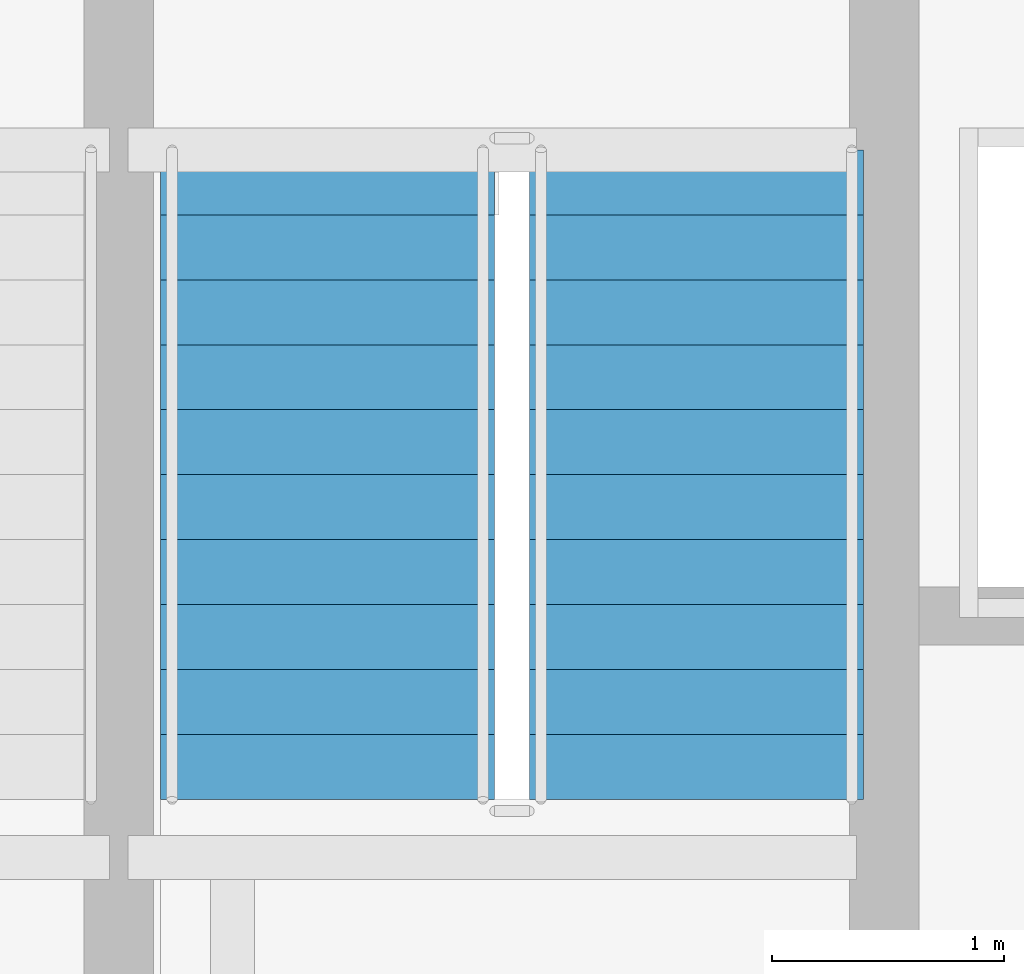
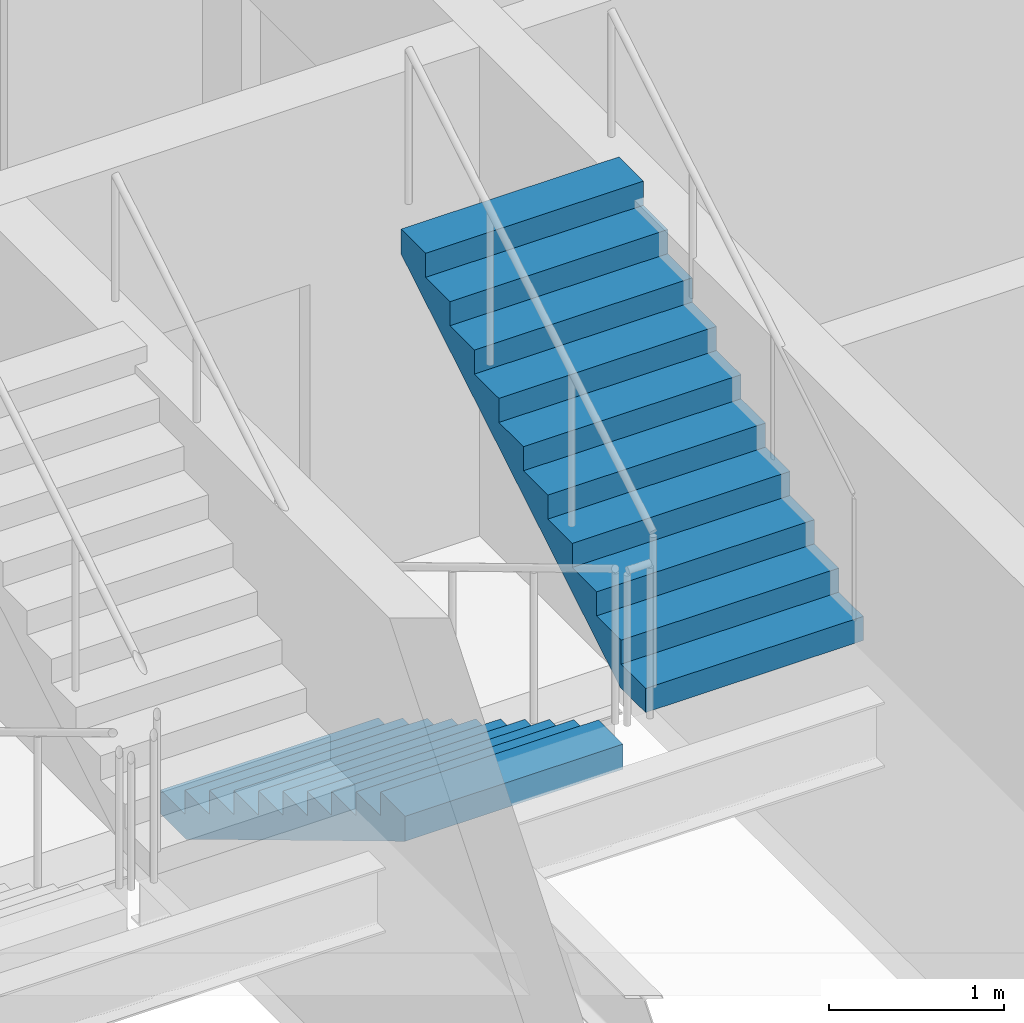
# One storey, part 24 of 29: 2 stair flights, 1 element without a shape of its own.
"""IFC4 building model written with IfcOpenShell, lengths in metres."""

from ifc_helpers import new_model, si_unit, direction, frame, origin, place, context, subcontext, project, spatial, polyline, outline, extrude, material, layer, layer_set, type_object, element, aggregate, save


model = new_model("IFC4")

# Units and contexts
model_context = context("Model", 3, precision=1e-05, world=origin(), true_north=direction((0.0, 1.0)))
body_context = subcontext(model_context, "Body", "Model", "MODEL_VIEW")
ifc_project = project(units=[si_unit("LENGTHUNIT", "METRE"), si_unit("AREAUNIT", "SQUARE_METRE"), si_unit("VOLUMEUNIT", "CUBIC_METRE"), si_unit("PLANEANGLEUNIT", "RADIAN"), si_unit("MASSUNIT", "GRAM", prefix="KILO")], contexts=[model_context])

# Site, building, storey
site_placement = place(None, origin())
site = spatial("IfcSite", under=ifc_project, at=site_placement, CompositionType="ELEMENT")
building_placement = place(site_placement, origin())
building = spatial("IfcBuilding", under=site, at=building_placement, Name="Solvaryn Broadcast Tower", CompositionType="ELEMENT")
storey_placement = place(building_placement, frame((0.0, 0.0, 147.0)))
storey = spatial("IfcBuildingStorey", under=building, at=storey_placement, Name="L36", CompositionType="ELEMENT", Elevation=147.0)

# Stair, stair flights
ifc_material_1 = material(Name="Concrete f'c 60 MPa", Category="concrete")
stair_type = type_object("IfcStairType", Name="ST-CORE", PredefinedType="HALF_TURN_STAIR", material=ifc_material_1)
stair_placement = place(storey_placement, origin())
stair = element("IfcStair", 1, at=stair_placement, inside=storey, type_object=stair_type, Name="L36 ST2", PredefinedType="HALF_TURN_STAIR")
ifc_material_2 = material(Name="Concrete f'c 60 MPa", Category="concrete")
ifc_layer = layer(ifc_material_2, 0.159912109375)
ifc_layer_set = layer_set([ifc_layer], Name="SF-CORE")
stair_flight_type = type_object("IfcStairFlightType", Name="SF-CORE", PredefinedType="STRAIGHT", material=ifc_layer_set)
stair_flight_1_placement = place(storey_placement, frame((15.52001953125, 35.9599609375, 0.0), z_axis=(0.0, 0.0, 1.0), x_axis=(0.0, -1.0, 0.0)))
stair_flight_1 = element("IfcStairFlight", 2, at=stair_flight_1_placement, type_object=stair_flight_type, Name="ST2 flight 1", NumberOfRisers=11, NumberOfTreads=10, PredefinedType="STRAIGHT", RiserHeight=0.168181818, TreadLength=0.28, context=body_context, shape_type="SweptSolid", body=[
    extrude(outline(polyline([(0.0, 0.0), (0.0, 0.168212890625), (0.280029296875, 0.168212890625), (0.280029296875, 0.33642578125), (0.56005859375, 0.33642578125), (0.56005859375, 0.504638671875), (0.840087890625, 0.504638671875), (0.840087890625, 0.672607421875), (1.1201171875, 0.672607421875), (1.1201171875, 0.8408203125), (1.39990234375, 0.8408203125), (1.39990234375, 1.009033203125), (1.679931640625, 1.009033203125), (1.679931640625, 1.17724609375), (1.9599609375, 1.17724609375), (1.9599609375, 1.345458984375), (2.239990234375, 1.345458984375), (2.239990234375, 1.513671875), (2.52001953125, 1.513671875), (2.52001953125, 1.681884765625), (2.800048828125, 1.681884765625), (2.800048828125, 1.85009765625), (2.800048828125, 1.5068359375), (0.291015625, 0.0), (0.0, 0.0)])), frame((0.0, 0.719970703125, 0.0), z_axis=(0.0, -1.0, 0.0), x_axis=(1.0, 0.0, 0.0)), (0.0, 0.0, 1.0), 1.43994140625),
])
stair_flight_2_placement = place(storey_placement, frame((17.110107421875, 33.159912109375, 1.85009765625), z_axis=(0.0, 0.0, 1.0), x_axis=(0.0, 1.0, 0.0)))
stair_flight_2 = element("IfcStairFlight", 3, at=stair_flight_2_placement, type_object=stair_flight_type, Name="ST2 flight 2", NumberOfRisers=11, NumberOfTreads=10, PredefinedType="STRAIGHT", RiserHeight=0.168181818, TreadLength=0.28, context=body_context, shape_type="SweptSolid", body=[
    extrude(outline(polyline([(0.0, 0.0), (0.0, 0.168212890625), (0.280029296875, 0.168212890625), (0.280029296875, 0.33642578125), (0.56005859375, 0.33642578125), (0.56005859375, 0.504638671875), (0.840087890625, 0.504638671875), (0.840087890625, 0.672607421875), (1.1201171875, 0.672607421875), (1.1201171875, 0.8408203125), (1.39990234375, 0.8408203125), (1.39990234375, 1.009033203125), (1.679931640625, 1.009033203125), (1.679931640625, 1.17724609375), (1.9599609375, 1.17724609375), (1.9599609375, 1.345458984375), (2.239990234375, 1.345458984375), (2.239990234375, 1.513671875), (2.52001953125, 1.513671875), (2.52001953125, 1.681884765625), (2.800048828125, 1.681884765625), (2.800048828125, 1.85009765625), (2.800048828125, 1.5068359375), (0.291015625, 0.0), (0.0, 0.0)])), frame((0.0, 0.719970703125, 0.0), z_axis=(0.0, -1.0, 0.0), x_axis=(1.0, 0.0, 0.0)), (0.0, 0.0, 1.0), 1.43994140625),
])
aggregate(stair, [stair_flight_1, stair_flight_2])

save(model, "model.ifc")
